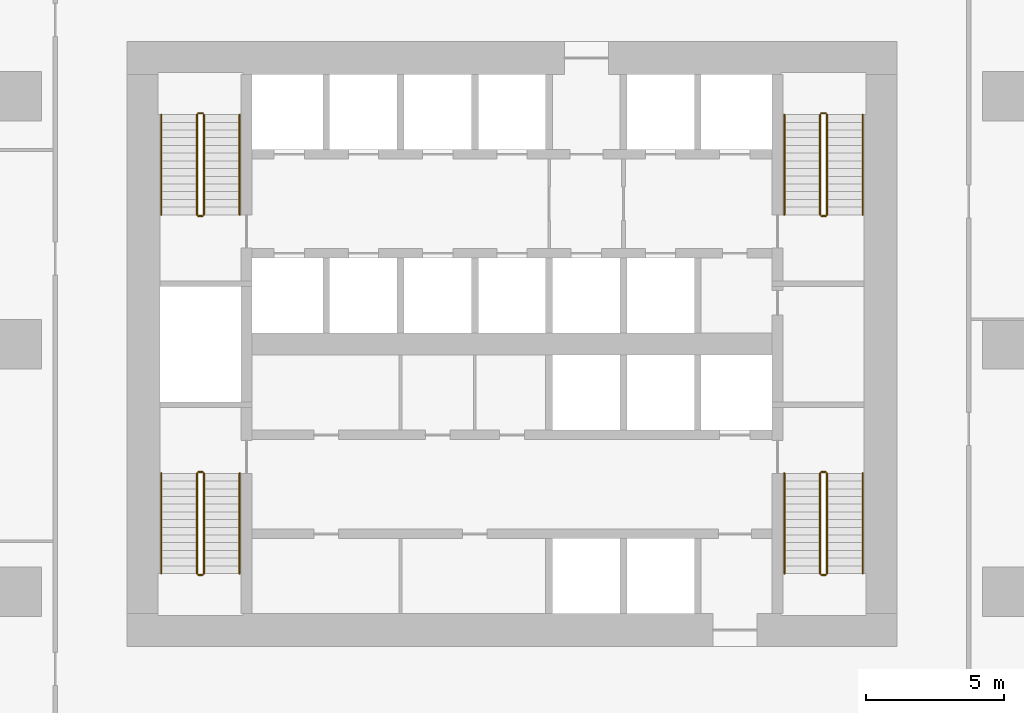
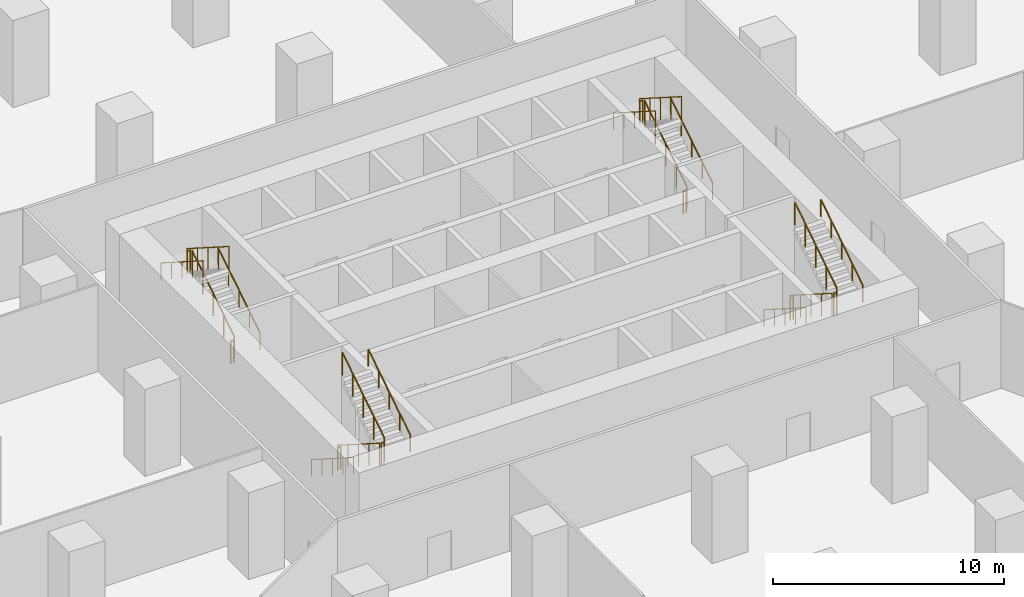
# One storey, part 15 of 15: 24 railings.
"""IFC4 building model written with IfcOpenShell, lengths in metres."""

from ifc_helpers import new_model, si_unit, direction, frame, origin, origin_2d, place, context, subcontext, project, spatial, circle, extrude, material, type_object, element, save


model = new_model("IFC4")

# Units and contexts
model_context = context("Model", 3, precision=1e-05, world=origin(), true_north=direction((0.0, 1.0)))
body_context = subcontext(model_context, "Body", "Model", "MODEL_VIEW")
ifc_project = project(units=[si_unit("LENGTHUNIT", "METRE"), si_unit("AREAUNIT", "SQUARE_METRE"), si_unit("VOLUMEUNIT", "CUBIC_METRE"), si_unit("PLANEANGLEUNIT", "RADIAN"), si_unit("MASSUNIT", "GRAM", prefix="KILO")], contexts=[model_context])

# Site, building, storey
site_placement = place(None, origin())
site = spatial("IfcSite", under=ifc_project, at=site_placement, CompositionType="ELEMENT")
building_placement = place(site_placement, origin())
building = spatial("IfcBuilding", under=site, at=building_placement, Name="Dongbaek Canopy Tower", CompositionType="ELEMENT")
storey_placement = place(building_placement, frame((0.0, 0.0, 33.0)))
storey = spatial("IfcBuildingStorey", under=building, at=storey_placement, Name="L04", CompositionType="ELEMENT", Elevation=33.0)

# Railings
ifc_material_1 = material(Name="Stainless steel tube and balusters", Category="steel")
railing_type_1 = type_object("IfcRailingType", Name="Stair guard 1200", PredefinedType="GUARDRAIL", material=ifc_material_1)
railing_1_placement = place(storey_placement, frame((11.449951171875, 4.699951171875, 0.178466796875)))
element("IfcRailing", 1, at=railing_1_placement, inside=storey, type_object=railing_type_1, Name="L04 ST-A stair guard 1", PredefinedType="GUARDRAIL", context=body_context, shape_type="SweptSolid", body=[
    extrude(circle(Radius=0.02392578125, at=origin_2d()), frame((0.0, 0.0, 1.17578125), z_axis=(0.0, 0.843127859045, 0.537713132908), x_axis=(-1.0, 0.0, 0.0)), (0.0, 0.0, 1.0), 4.3173828125),
    extrude(circle(Radius=0.02099609375, at=origin_2d()), origin(), (0.0, 0.0, 1.0), 1.15185546875),
    extrude(circle(Radius=0.02099609375, at=origin_2d()), frame((0.0, 0.91015625, 0.580322265625)), (0.0, 0.0, 1.0), 1.15185546875),
    extrude(circle(Radius=0.02099609375, at=origin_2d()), frame((0.0, 1.820068359375, 1.16064453125)), (0.0, 0.0, 1.0), 1.15185546875),
    extrude(circle(Radius=0.02099609375, at=origin_2d()), frame((0.0, 2.72998046875, 1.7412109375)), (0.0, 0.0, 1.0), 1.15185546875),
    extrude(circle(Radius=0.02099609375, at=origin_2d()), frame((0.0, 3.64013671875, 2.321533203125)), (0.0, 0.0, 1.0), 1.15185546875),
])
railing_2_placement = place(storey_placement, frame((11.39990234375, 8.389892578125, 2.5)))
element("IfcRailing", 2, at=railing_2_placement, inside=storey, type_object=railing_type_1, Name="L04 ST-A stair guard 2", PredefinedType="GUARDRAIL", context=body_context, shape_type="SweptSolid", body=[
    extrude(circle(Radius=0.02392578125, at=origin_2d()), frame((0.0, 0.0, 1.17578125), z_axis=(-1.0, 0.0, 0.0), x_axis=(0.0, -1.0, 0.0)), (0.0, 0.0, 1.0), 0.14990234375),
    extrude(circle(Radius=0.02099609375, at=origin_2d()), origin(), (0.0, 0.0, 1.0), 1.15185546875),
    extrude(circle(Radius=0.02099609375, at=origin_2d()), frame((-0.14990234375, 0.0, 0.0)), (0.0, 0.0, 1.0), 1.15185546875),
])
railing_3_placement = place(storey_placement, frame((11.199951171875, 8.340087890625, 2.678466796875)))
element("IfcRailing", 3, at=railing_3_placement, inside=storey, type_object=railing_type_1, Name="L04 ST-A stair guard 3", PredefinedType="GUARDRAIL", context=body_context, shape_type="SweptSolid", body=[
    extrude(circle(Radius=0.02392578125, at=origin_2d()), frame((0.0, 0.0, 1.17578125), z_axis=(0.0, -0.843127859045, 0.537713132908), x_axis=(1.0, 0.0, 0.0)), (0.0, 0.0, 1.0), 4.3173828125),
    extrude(circle(Radius=0.02099609375, at=origin_2d()), origin(), (0.0, 0.0, 1.0), 1.15185546875),
    extrude(circle(Radius=0.02099609375, at=origin_2d()), frame((0.0, -0.91015625, 0.580322265625)), (0.0, 0.0, 1.0), 1.15185546875),
    extrude(circle(Radius=0.02099609375, at=origin_2d()), frame((0.0, -1.820068359375, 1.16064453125)), (0.0, 0.0, 1.0), 1.15185546875),
    extrude(circle(Radius=0.02099609375, at=origin_2d()), frame((0.0, -2.72998046875, 1.7412109375)), (0.0, 0.0, 1.0), 1.15185546875),
    extrude(circle(Radius=0.02099609375, at=origin_2d()), frame((0.0, -3.64013671875, 2.321533203125)), (0.0, 0.0, 1.0), 1.15185546875),
])
railing_4_placement = place(storey_placement, frame((11.39990234375, 4.64990234375, 0.0)))
element("IfcRailing", 4, at=railing_4_placement, inside=storey, type_object=railing_type_1, Name="L04 ST-A stair guard 4", PredefinedType="GUARDRAIL", context=body_context, shape_type="SweptSolid", body=[
    extrude(circle(Radius=0.02392578125, at=origin_2d()), frame((0.0, 0.0, 1.17578125), z_axis=(-1.0, 0.0, 0.0), x_axis=(0.0, -1.0, 0.0)), (0.0, 0.0, 1.0), 0.14990234375),
    extrude(circle(Radius=0.02099609375, at=origin_2d()), origin(), (0.0, 0.0, 1.0), 1.15185546875),
    extrude(circle(Radius=0.02099609375, at=origin_2d()), frame((-0.14990234375, 0.0, 0.0)), (0.0, 0.0, 1.0), 1.15185546875),
])
railing_5_placement = place(storey_placement, frame((-11.199951171875, 4.699951171875, 0.178466796875)))
element("IfcRailing", 5, at=railing_5_placement, inside=storey, type_object=railing_type_1, Name="L04 ST-C stair guard 1", PredefinedType="GUARDRAIL", context=body_context, shape_type="SweptSolid", body=[
    extrude(circle(Radius=0.02392578125, at=origin_2d()), frame((0.0, 0.0, 1.17578125), z_axis=(0.0, 0.843127859045, 0.537713132908), x_axis=(-1.0, 0.0, 0.0)), (0.0, 0.0, 1.0), 4.3173828125),
    extrude(circle(Radius=0.02099609375, at=origin_2d()), origin(), (0.0, 0.0, 1.0), 1.15185546875),
    extrude(circle(Radius=0.02099609375, at=origin_2d()), frame((0.0, 0.91015625, 0.580322265625)), (0.0, 0.0, 1.0), 1.15185546875),
    extrude(circle(Radius=0.02099609375, at=origin_2d()), frame((0.0, 1.820068359375, 1.16064453125)), (0.0, 0.0, 1.0), 1.15185546875),
    extrude(circle(Radius=0.02099609375, at=origin_2d()), frame((0.0, 2.72998046875, 1.7412109375)), (0.0, 0.0, 1.0), 1.15185546875),
    extrude(circle(Radius=0.02099609375, at=origin_2d()), frame((0.0, 3.64013671875, 2.321533203125)), (0.0, 0.0, 1.0), 1.15185546875),
])
railing_6_placement = place(storey_placement, frame((-11.25, 8.389892578125, 2.5)))
element("IfcRailing", 6, at=railing_6_placement, inside=storey, type_object=railing_type_1, Name="L04 ST-C stair guard 2", PredefinedType="GUARDRAIL", context=body_context, shape_type="SweptSolid", body=[
    extrude(circle(Radius=0.02392578125, at=origin_2d()), frame((0.0, 0.0, 1.17578125), z_axis=(-1.0, 0.0, 0.0), x_axis=(0.0, -1.0, 0.0)), (0.0, 0.0, 1.0), 0.14990234375),
    extrude(circle(Radius=0.02099609375, at=origin_2d()), origin(), (0.0, 0.0, 1.0), 1.15185546875),
    extrude(circle(Radius=0.02099609375, at=origin_2d()), frame((-0.14990234375, 0.0, 0.0)), (0.0, 0.0, 1.0), 1.15185546875),
])
railing_7_placement = place(storey_placement, frame((-11.449951171875, 8.340087890625, 2.678466796875)))
element("IfcRailing", 7, at=railing_7_placement, inside=storey, type_object=railing_type_1, Name="L04 ST-C stair guard 3", PredefinedType="GUARDRAIL", context=body_context, shape_type="SweptSolid", body=[
    extrude(circle(Radius=0.02392578125, at=origin_2d()), frame((0.0, 0.0, 1.17578125), z_axis=(0.0, -0.843127859045, 0.537713132908), x_axis=(1.0, 0.0, 0.0)), (0.0, 0.0, 1.0), 4.3173828125),
    extrude(circle(Radius=0.02099609375, at=origin_2d()), origin(), (0.0, 0.0, 1.0), 1.15185546875),
    extrude(circle(Radius=0.02099609375, at=origin_2d()), frame((0.0, -0.91015625, 0.580322265625)), (0.0, 0.0, 1.0), 1.15185546875),
    extrude(circle(Radius=0.02099609375, at=origin_2d()), frame((0.0, -1.820068359375, 1.16064453125)), (0.0, 0.0, 1.0), 1.15185546875),
    extrude(circle(Radius=0.02099609375, at=origin_2d()), frame((0.0, -2.72998046875, 1.7412109375)), (0.0, 0.0, 1.0), 1.15185546875),
    extrude(circle(Radius=0.02099609375, at=origin_2d()), frame((0.0, -3.64013671875, 2.321533203125)), (0.0, 0.0, 1.0), 1.15185546875),
])
railing_8_placement = place(storey_placement, frame((-11.25, 4.64990234375, 0.0)))
element("IfcRailing", 8, at=railing_8_placement, inside=storey, type_object=railing_type_1, Name="L04 ST-C stair guard 4", PredefinedType="GUARDRAIL", context=body_context, shape_type="SweptSolid", body=[
    extrude(circle(Radius=0.02392578125, at=origin_2d()), frame((0.0, 0.0, 1.17578125), z_axis=(-1.0, 0.0, 0.0), x_axis=(0.0, -1.0, 0.0)), (0.0, 0.0, 1.0), 0.14990234375),
    extrude(circle(Radius=0.02099609375, at=origin_2d()), origin(), (0.0, 0.0, 1.0), 1.15185546875),
    extrude(circle(Radius=0.02099609375, at=origin_2d()), frame((-0.14990234375, 0.0, 0.0)), (0.0, 0.0, 1.0), 1.15185546875),
])
railing_9_placement = place(storey_placement, frame((11.199951171875, -4.699951171875, 0.178466796875)))
element("IfcRailing", 9, at=railing_9_placement, inside=storey, type_object=railing_type_1, Name="L04 ST-B stair guard 1", PredefinedType="GUARDRAIL", context=body_context, shape_type="SweptSolid", body=[
    extrude(circle(Radius=0.02392578125, at=origin_2d()), frame((0.0, 0.0, 1.17578125), z_axis=(0.0, -0.843127859045, 0.537713132908), x_axis=(1.0, 0.0, 0.0)), (0.0, 0.0, 1.0), 4.3173828125),
    extrude(circle(Radius=0.02099609375, at=origin_2d()), origin(), (0.0, 0.0, 1.0), 1.15185546875),
    extrude(circle(Radius=0.02099609375, at=origin_2d()), frame((0.0, -0.91015625, 0.580322265625)), (0.0, 0.0, 1.0), 1.15185546875),
    extrude(circle(Radius=0.02099609375, at=origin_2d()), frame((0.0, -1.820068359375, 1.16064453125)), (0.0, 0.0, 1.0), 1.15185546875),
    extrude(circle(Radius=0.02099609375, at=origin_2d()), frame((0.0, -2.72998046875, 1.7412109375)), (0.0, 0.0, 1.0), 1.15185546875),
    extrude(circle(Radius=0.02099609375, at=origin_2d()), frame((0.0, -3.64013671875, 2.321533203125)), (0.0, 0.0, 1.0), 1.15185546875),
])
railing_10_placement = place(storey_placement, frame((11.25, -8.389892578125, 2.5)))
element("IfcRailing", 10, at=railing_10_placement, inside=storey, type_object=railing_type_1, Name="L04 ST-B stair guard 2", PredefinedType="GUARDRAIL", context=body_context, shape_type="SweptSolid", body=[
    extrude(circle(Radius=0.02392578125, at=origin_2d()), frame((0.0, 0.0, 1.17578125), z_axis=(1.0, 0.0, 0.0), x_axis=(0.0, 1.0, 0.0)), (0.0, 0.0, 1.0), 0.14990234375),
    extrude(circle(Radius=0.02099609375, at=origin_2d()), origin(), (0.0, 0.0, 1.0), 1.15185546875),
    extrude(circle(Radius=0.02099609375, at=origin_2d()), frame((0.14990234375, 0.0, 0.0)), (0.0, 0.0, 1.0), 1.15185546875),
])
railing_11_placement = place(storey_placement, frame((11.449951171875, -8.340087890625, 2.678466796875)))
element("IfcRailing", 11, at=railing_11_placement, inside=storey, type_object=railing_type_1, Name="L04 ST-B stair guard 3", PredefinedType="GUARDRAIL", context=body_context, shape_type="SweptSolid", body=[
    extrude(circle(Radius=0.02392578125, at=origin_2d()), frame((0.0, 0.0, 1.17578125), z_axis=(0.0, 0.843127859045, 0.537713132908), x_axis=(-1.0, 0.0, 0.0)), (0.0, 0.0, 1.0), 4.3173828125),
    extrude(circle(Radius=0.02099609375, at=origin_2d()), origin(), (0.0, 0.0, 1.0), 1.15185546875),
    extrude(circle(Radius=0.02099609375, at=origin_2d()), frame((0.0, 0.91015625, 0.580322265625)), (0.0, 0.0, 1.0), 1.15185546875),
    extrude(circle(Radius=0.02099609375, at=origin_2d()), frame((0.0, 1.820068359375, 1.16064453125)), (0.0, 0.0, 1.0), 1.15185546875),
    extrude(circle(Radius=0.02099609375, at=origin_2d()), frame((0.0, 2.72998046875, 1.7412109375)), (0.0, 0.0, 1.0), 1.15185546875),
    extrude(circle(Radius=0.02099609375, at=origin_2d()), frame((0.0, 3.64013671875, 2.321533203125)), (0.0, 0.0, 1.0), 1.15185546875),
])
railing_12_placement = place(storey_placement, frame((11.25, -4.64990234375, 0.0)))
element("IfcRailing", 12, at=railing_12_placement, inside=storey, type_object=railing_type_1, Name="L04 ST-B stair guard 4", PredefinedType="GUARDRAIL", context=body_context, shape_type="SweptSolid", body=[
    extrude(circle(Radius=0.02392578125, at=origin_2d()), frame((0.0, 0.0, 1.17578125), z_axis=(1.0, 0.0, 0.0), x_axis=(0.0, 1.0, 0.0)), (0.0, 0.0, 1.0), 0.14990234375),
    extrude(circle(Radius=0.02099609375, at=origin_2d()), origin(), (0.0, 0.0, 1.0), 1.15185546875),
    extrude(circle(Radius=0.02099609375, at=origin_2d()), frame((0.14990234375, 0.0, 0.0)), (0.0, 0.0, 1.0), 1.15185546875),
])
railing_13_placement = place(storey_placement, frame((-11.449951171875, -4.699951171875, 0.178466796875)))
element("IfcRailing", 13, at=railing_13_placement, inside=storey, type_object=railing_type_1, Name="L04 ST-D stair guard 1", PredefinedType="GUARDRAIL", context=body_context, shape_type="SweptSolid", body=[
    extrude(circle(Radius=0.02392578125, at=origin_2d()), frame((0.0, 0.0, 1.17578125), z_axis=(0.0, -0.843127859045, 0.537713132908), x_axis=(1.0, 0.0, 0.0)), (0.0, 0.0, 1.0), 4.3173828125),
    extrude(circle(Radius=0.02099609375, at=origin_2d()), origin(), (0.0, 0.0, 1.0), 1.15185546875),
    extrude(circle(Radius=0.02099609375, at=origin_2d()), frame((0.0, -0.91015625, 0.580322265625)), (0.0, 0.0, 1.0), 1.15185546875),
    extrude(circle(Radius=0.02099609375, at=origin_2d()), frame((0.0, -1.820068359375, 1.16064453125)), (0.0, 0.0, 1.0), 1.15185546875),
    extrude(circle(Radius=0.02099609375, at=origin_2d()), frame((0.0, -2.72998046875, 1.7412109375)), (0.0, 0.0, 1.0), 1.15185546875),
    extrude(circle(Radius=0.02099609375, at=origin_2d()), frame((0.0, -3.64013671875, 2.321533203125)), (0.0, 0.0, 1.0), 1.15185546875),
])
railing_14_placement = place(storey_placement, frame((-11.39990234375, -8.389892578125, 2.5)))
element("IfcRailing", 14, at=railing_14_placement, inside=storey, type_object=railing_type_1, Name="L04 ST-D stair guard 2", PredefinedType="GUARDRAIL", context=body_context, shape_type="SweptSolid", body=[
    extrude(circle(Radius=0.02392578125, at=origin_2d()), frame((0.0, 0.0, 1.17578125), z_axis=(1.0, 0.0, 0.0), x_axis=(0.0, 1.0, 0.0)), (0.0, 0.0, 1.0), 0.14990234375),
    extrude(circle(Radius=0.02099609375, at=origin_2d()), origin(), (0.0, 0.0, 1.0), 1.15185546875),
    extrude(circle(Radius=0.02099609375, at=origin_2d()), frame((0.14990234375, 0.0, 0.0)), (0.0, 0.0, 1.0), 1.15185546875),
])
railing_15_placement = place(storey_placement, frame((-11.199951171875, -8.340087890625, 2.678466796875)))
element("IfcRailing", 15, at=railing_15_placement, inside=storey, type_object=railing_type_1, Name="L04 ST-D stair guard 3", PredefinedType="GUARDRAIL", context=body_context, shape_type="SweptSolid", body=[
    extrude(circle(Radius=0.02392578125, at=origin_2d()), frame((0.0, 0.0, 1.17578125), z_axis=(0.0, 0.843127859045, 0.537713132908), x_axis=(-1.0, 0.0, 0.0)), (0.0, 0.0, 1.0), 4.3173828125),
    extrude(circle(Radius=0.02099609375, at=origin_2d()), origin(), (0.0, 0.0, 1.0), 1.15185546875),
    extrude(circle(Radius=0.02099609375, at=origin_2d()), frame((0.0, 0.91015625, 0.580322265625)), (0.0, 0.0, 1.0), 1.15185546875),
    extrude(circle(Radius=0.02099609375, at=origin_2d()), frame((0.0, 1.820068359375, 1.16064453125)), (0.0, 0.0, 1.0), 1.15185546875),
    extrude(circle(Radius=0.02099609375, at=origin_2d()), frame((0.0, 2.72998046875, 1.7412109375)), (0.0, 0.0, 1.0), 1.15185546875),
    extrude(circle(Radius=0.02099609375, at=origin_2d()), frame((0.0, 3.64013671875, 2.321533203125)), (0.0, 0.0, 1.0), 1.15185546875),
])
railing_16_placement = place(storey_placement, frame((-11.39990234375, -4.64990234375, 0.0)))
element("IfcRailing", 16, at=railing_16_placement, inside=storey, type_object=railing_type_1, Name="L04 ST-D stair guard 4", PredefinedType="GUARDRAIL", context=body_context, shape_type="SweptSolid", body=[
    extrude(circle(Radius=0.02392578125, at=origin_2d()), frame((0.0, 0.0, 1.17578125), z_axis=(1.0, 0.0, 0.0), x_axis=(0.0, 1.0, 0.0)), (0.0, 0.0, 1.0), 0.14990234375),
    extrude(circle(Radius=0.02099609375, at=origin_2d()), origin(), (0.0, 0.0, 1.0), 1.15185546875),
    extrude(circle(Radius=0.02099609375, at=origin_2d()), frame((0.14990234375, 0.0, 0.0)), (0.0, 0.0, 1.0), 1.15185546875),
])
ifc_material_2 = material(Name="Stainless steel tube", Category="steel")
railing_type_2 = type_object("IfcRailingType", Name="Stair handrail 900", PredefinedType="HANDRAIL", material=ifc_material_2)
railing_17_placement = place(storey_placement, frame((12.75, 4.699951171875, 0.178466796875)))
element("IfcRailing", 17, at=railing_17_placement, inside=storey, type_object=railing_type_2, Name="L04 ST-A stair handrail 1", PredefinedType="HANDRAIL", context=body_context, shape_type="SweptSolid", body=[
    extrude(circle(Radius=0.02392578125, at=origin_2d()), frame((0.0, 0.0, 0.8759765625), z_axis=(0.0, 0.843127859045, 0.537713132908), x_axis=(-1.0, 0.0, 0.0)), (0.0, 0.0, 1.0), 4.3173828125),
    extrude(circle(Radius=0.02099609375, at=origin_2d()), origin(), (0.0, 0.0, 1.0), 0.851806640625),
    extrude(circle(Radius=0.02099609375, at=origin_2d()), frame((0.0, 0.91015625, 0.580322265625)), (0.0, 0.0, 1.0), 0.851806640625),
    extrude(circle(Radius=0.02099609375, at=origin_2d()), frame((0.0, 1.820068359375, 1.16064453125)), (0.0, 0.0, 1.0), 0.851806640625),
    extrude(circle(Radius=0.02099609375, at=origin_2d()), frame((0.0, 2.72998046875, 1.7412109375)), (0.0, 0.0, 1.0), 0.851806640625),
    extrude(circle(Radius=0.02099609375, at=origin_2d()), frame((0.0, 3.64013671875, 2.321533203125)), (0.0, 0.0, 1.0), 0.851806640625),
])
railing_18_placement = place(storey_placement, frame((9.89990234375, 8.340087890625, 2.678466796875)))
element("IfcRailing", 18, at=railing_18_placement, inside=storey, type_object=railing_type_2, Name="L04 ST-A stair handrail 2", PredefinedType="HANDRAIL", context=body_context, shape_type="SweptSolid", body=[
    extrude(circle(Radius=0.02392578125, at=origin_2d()), frame((0.0, 0.0, 0.8759765625), z_axis=(0.0, -0.843127859045, 0.537713132908), x_axis=(1.0, 0.0, 0.0)), (0.0, 0.0, 1.0), 4.3173828125),
    extrude(circle(Radius=0.02099609375, at=origin_2d()), origin(), (0.0, 0.0, 1.0), 0.851806640625),
    extrude(circle(Radius=0.02099609375, at=origin_2d()), frame((0.0, -0.91015625, 0.580322265625)), (0.0, 0.0, 1.0), 0.851806640625),
    extrude(circle(Radius=0.02099609375, at=origin_2d()), frame((0.0, -1.820068359375, 1.16064453125)), (0.0, 0.0, 1.0), 0.851806640625),
    extrude(circle(Radius=0.02099609375, at=origin_2d()), frame((0.0, -2.72998046875, 1.7412109375)), (0.0, 0.0, 1.0), 0.851806640625),
    extrude(circle(Radius=0.02099609375, at=origin_2d()), frame((0.0, -3.64013671875, 2.321533203125)), (0.0, 0.0, 1.0), 0.851806640625),
])
railing_19_placement = place(storey_placement, frame((-9.89990234375, 4.699951171875, 0.178466796875)))
element("IfcRailing", 19, at=railing_19_placement, inside=storey, type_object=railing_type_2, Name="L04 ST-C stair handrail 1", PredefinedType="HANDRAIL", context=body_context, shape_type="SweptSolid", body=[
    extrude(circle(Radius=0.02392578125, at=origin_2d()), frame((0.0, 0.0, 0.8759765625), z_axis=(0.0, 0.843127859045, 0.537713132908), x_axis=(-1.0, 0.0, 0.0)), (0.0, 0.0, 1.0), 4.3173828125),
    extrude(circle(Radius=0.02099609375, at=origin_2d()), origin(), (0.0, 0.0, 1.0), 0.851806640625),
    extrude(circle(Radius=0.02099609375, at=origin_2d()), frame((0.0, 0.91015625, 0.580322265625)), (0.0, 0.0, 1.0), 0.851806640625),
    extrude(circle(Radius=0.02099609375, at=origin_2d()), frame((0.0, 1.820068359375, 1.16064453125)), (0.0, 0.0, 1.0), 0.851806640625),
    extrude(circle(Radius=0.02099609375, at=origin_2d()), frame((0.0, 2.72998046875, 1.7412109375)), (0.0, 0.0, 1.0), 0.851806640625),
    extrude(circle(Radius=0.02099609375, at=origin_2d()), frame((0.0, 3.64013671875, 2.321533203125)), (0.0, 0.0, 1.0), 0.851806640625),
])
for number, where, name in (
    (20, (-12.75, 8.340087890625, 2.678466796875), "L04 ST-C stair handrail 2"),
    (21, (9.89990234375, -4.699951171875, 0.178466796875), "L04 ST-B stair handrail 1"),
):
    element("IfcRailing", number, at=place(storey_placement, frame(where)), inside=storey, type_object=railing_type_2, Name=name, PredefinedType="HANDRAIL", context=body_context, shape_type="SweptSolid", body=[
        extrude(circle(Radius=0.02392578125, at=origin_2d()), frame((0.0, 0.0, 0.8759765625), z_axis=(0.0, -0.843127859045, 0.537713132908), x_axis=(1.0, 0.0, 0.0)), (0.0, 0.0, 1.0), 4.3173828125),
        extrude(circle(Radius=0.02099609375, at=origin_2d()), origin(), (0.0, 0.0, 1.0), 0.851806640625),
        extrude(circle(Radius=0.02099609375, at=origin_2d()), frame((0.0, -0.91015625, 0.580322265625)), (0.0, 0.0, 1.0), 0.851806640625),
        extrude(circle(Radius=0.02099609375, at=origin_2d()), frame((0.0, -1.820068359375, 1.16064453125)), (0.0, 0.0, 1.0), 0.851806640625),
        extrude(circle(Radius=0.02099609375, at=origin_2d()), frame((0.0, -2.72998046875, 1.7412109375)), (0.0, 0.0, 1.0), 0.851806640625),
        extrude(circle(Radius=0.02099609375, at=origin_2d()), frame((0.0, -3.64013671875, 2.321533203125)), (0.0, 0.0, 1.0), 0.851806640625),
    ])
railing_20_placement = place(storey_placement, frame((12.75, -8.340087890625, 2.678466796875)))
element("IfcRailing", 22, at=railing_20_placement, inside=storey, type_object=railing_type_2, Name="L04 ST-B stair handrail 2", PredefinedType="HANDRAIL", context=body_context, shape_type="SweptSolid", body=[
    extrude(circle(Radius=0.02392578125, at=origin_2d()), frame((0.0, 0.0, 0.8759765625), z_axis=(0.0, 0.843127859045, 0.537713132908), x_axis=(-1.0, 0.0, 0.0)), (0.0, 0.0, 1.0), 4.3173828125),
    extrude(circle(Radius=0.02099609375, at=origin_2d()), origin(), (0.0, 0.0, 1.0), 0.851806640625),
    extrude(circle(Radius=0.02099609375, at=origin_2d()), frame((0.0, 0.91015625, 0.580322265625)), (0.0, 0.0, 1.0), 0.851806640625),
    extrude(circle(Radius=0.02099609375, at=origin_2d()), frame((0.0, 1.820068359375, 1.16064453125)), (0.0, 0.0, 1.0), 0.851806640625),
    extrude(circle(Radius=0.02099609375, at=origin_2d()), frame((0.0, 2.72998046875, 1.7412109375)), (0.0, 0.0, 1.0), 0.851806640625),
    extrude(circle(Radius=0.02099609375, at=origin_2d()), frame((0.0, 3.64013671875, 2.321533203125)), (0.0, 0.0, 1.0), 0.851806640625),
])
railing_21_placement = place(storey_placement, frame((-12.75, -4.699951171875, 0.178466796875)))
element("IfcRailing", 23, at=railing_21_placement, inside=storey, type_object=railing_type_2, Name="L04 ST-D stair handrail 1", PredefinedType="HANDRAIL", context=body_context, shape_type="SweptSolid", body=[
    extrude(circle(Radius=0.02392578125, at=origin_2d()), frame((0.0, 0.0, 0.8759765625), z_axis=(0.0, -0.843127859045, 0.537713132908), x_axis=(1.0, 0.0, 0.0)), (0.0, 0.0, 1.0), 4.3173828125),
    extrude(circle(Radius=0.02099609375, at=origin_2d()), origin(), (0.0, 0.0, 1.0), 0.851806640625),
    extrude(circle(Radius=0.02099609375, at=origin_2d()), frame((0.0, -0.91015625, 0.580322265625)), (0.0, 0.0, 1.0), 0.851806640625),
    extrude(circle(Radius=0.02099609375, at=origin_2d()), frame((0.0, -1.820068359375, 1.16064453125)), (0.0, 0.0, 1.0), 0.851806640625),
    extrude(circle(Radius=0.02099609375, at=origin_2d()), frame((0.0, -2.72998046875, 1.7412109375)), (0.0, 0.0, 1.0), 0.851806640625),
    extrude(circle(Radius=0.02099609375, at=origin_2d()), frame((0.0, -3.64013671875, 2.321533203125)), (0.0, 0.0, 1.0), 0.851806640625),
])
railing_22_placement = place(storey_placement, frame((-9.89990234375, -8.340087890625, 2.678466796875)))
element("IfcRailing", 24, at=railing_22_placement, inside=storey, type_object=railing_type_2, Name="L04 ST-D stair handrail 2", PredefinedType="HANDRAIL", context=body_context, shape_type="SweptSolid", body=[
    extrude(circle(Radius=0.02392578125, at=origin_2d()), frame((0.0, 0.0, 0.8759765625), z_axis=(0.0, 0.843127859045, 0.537713132908), x_axis=(-1.0, 0.0, 0.0)), (0.0, 0.0, 1.0), 4.3173828125),
    extrude(circle(Radius=0.02099609375, at=origin_2d()), origin(), (0.0, 0.0, 1.0), 0.851806640625),
    extrude(circle(Radius=0.02099609375, at=origin_2d()), frame((0.0, 0.91015625, 0.580322265625)), (0.0, 0.0, 1.0), 0.851806640625),
    extrude(circle(Radius=0.02099609375, at=origin_2d()), frame((0.0, 1.820068359375, 1.16064453125)), (0.0, 0.0, 1.0), 0.851806640625),
    extrude(circle(Radius=0.02099609375, at=origin_2d()), frame((0.0, 2.72998046875, 1.7412109375)), (0.0, 0.0, 1.0), 0.851806640625),
    extrude(circle(Radius=0.02099609375, at=origin_2d()), frame((0.0, 3.64013671875, 2.321533203125)), (0.0, 0.0, 1.0), 0.851806640625),
])

save(model, "model.ifc")
